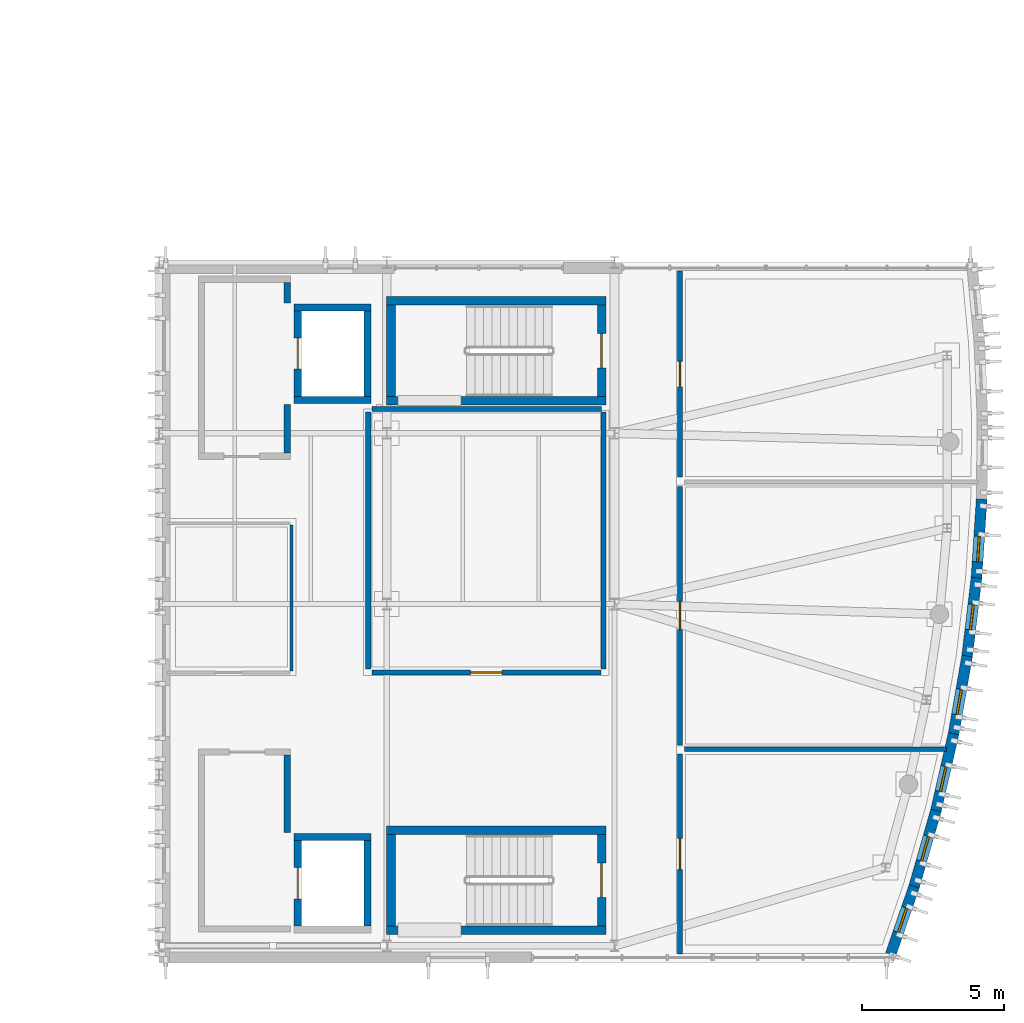
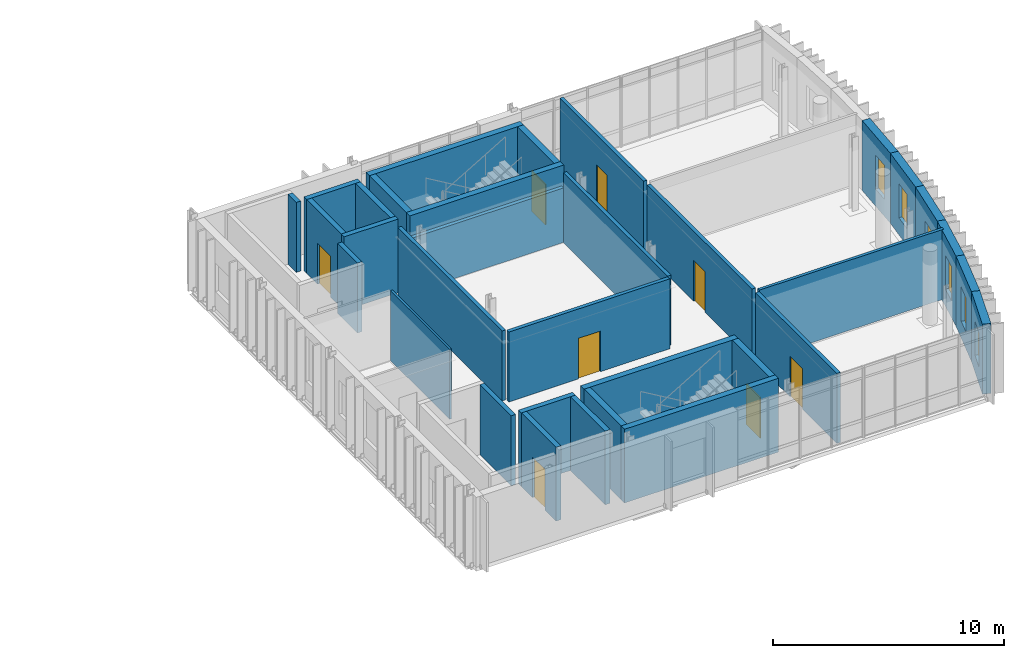
# One storey, part 10 of 14: 33 walls, 8 doors, 6 windows, 14 openings.
"""IFC4 building model written with IfcOpenShell, lengths in metres."""

from ifc_helpers import new_model, si_unit, direction, frame, frame_2d, origin, place, context, subcontext, project, spatial, rectangle, extrude, material, layer, layer_set, type_object, element, fill, save


model = new_model("IFC4")

# Units and contexts
model_context = context("Model", 3, precision=1e-05, world=origin(), true_north=direction((0.0, 1.0)))
body_context = subcontext(model_context, "Body", "Model", "MODEL_VIEW")
ifc_project = project(units=[si_unit("LENGTHUNIT", "METRE"), si_unit("AREAUNIT", "SQUARE_METRE"), si_unit("VOLUMEUNIT", "CUBIC_METRE"), si_unit("PLANEANGLEUNIT", "RADIAN"), si_unit("MASSUNIT", "GRAM", prefix="KILO")], contexts=[model_context])

# Site, building, storey
site_placement = place(None, origin())
site = spatial("IfcSite", under=ifc_project, at=site_placement, CompositionType="ELEMENT")
building_placement = place(site_placement, origin())
building = spatial("IfcBuilding", under=site, at=building_placement, Name="Cymarion Research Institute", CompositionType="ELEMENT")
storey_placement = place(building_placement, frame((0.0, 0.0, 34.5)))
storey = spatial("IfcBuildingStorey", under=building, at=storey_placement, Name="L08", CompositionType="ELEMENT", Elevation=34.5)

# Wall, opening, window
ifc_material_1 = material(Name="Precast concrete C40/50", Category="concrete")
ifc_layer_1 = layer(ifc_material_1, 0.3798828125)
ifc_layer_set_1 = layer_set([ifc_layer_1], Name="Precast concrete C40/50")
wall_type_1 = type_object("IfcWallType", Name="EXTERIOR WALL EW-PC380 380MM", PredefinedType="SOLIDWALL", material=ifc_layer_set_1)
wall_1_placement = place(storey_placement, frame((164.302978515625, 5.200927734375, 0.0), z_axis=(0.0, 0.0, 1.0), x_axis=(0.3268184741, 0.945087130897, 0.0)))
wall_1 = element("IfcWall", 1, at=wall_1_placement, inside=storey, type_object=wall_type_1, Name="L08 V1 exterior wall EW-PC380 #298", PredefinedType="SOLIDWALL", context=body_context, shape_type="SweptSolid", body=[
    extrude(rectangle(XDim=2.5263671875, YDim=0.3798828125, at=frame_2d((1.26318359375, 0.0))), origin(), (0.0, 0.0, 1.0), 3.699951171875),
])
opening_1_placement = place(wall_1_placement, frame((0.81298828125, 0.0, 0.89990234375)))
opening_1 = element("IfcOpeningElement", 2, at=opening_1_placement, cuts=wall_1, Name="Opening W24", PredefinedType="OPENING", context=body_context, shape_type="SweptSolid", body=[
    extrude(rectangle(XDim=0.89990234375, YDim=1.800048828125, at=frame_2d((0.449951171875, 0.89990234375))), frame((0.0, 0.199951171875, 0.0), z_axis=(0.0, -1.0, 0.0), x_axis=(1.0, 0.0, 0.0)), (0.0, 0.0, 1.0), 0.39990234375),
])
ifc_material_2 = material(Name="Thermally broken aluminium window with Low-E glazing", Category="aluminium")
window_type = type_object("IfcWindowType", Name="THERMALLY BROKEN ALUMINIUM WINDOW W24 900X1800", PartitioningType="SINGLE_PANEL", PredefinedType="WINDOW", material=ifc_material_2)
window_1_placement = place(opening_1_placement, origin())
window_1 = element("IfcWindow", 3, at=window_1_placement, inside=storey, type_object=window_type, Name="L08 V1 facade window W24 #531", OverallHeight=1.800048828125, OverallWidth=0.89990234375, PartitioningType="SINGLE_PANEL", PredefinedType="WINDOW", context=body_context, shape_type="SweptSolid", body=[
    extrude(rectangle(XDim=0.89990234375, YDim=1.800048828125, at=frame_2d((0.449951171875, 0.89990234375))), frame((0.0, 0.030029296875, 0.0), z_axis=(0.0, -1.0, 0.0), x_axis=(1.0, 0.0, 0.0)), (0.0, 0.0, 1.0), 0.06005859375),
])
fill(opening_1, window_1)

wall_2_placement = place(storey_placement, frame((165.122314453125, 7.5673828125, 0.0), z_axis=(0.0, 0.0, 1.0), x_axis=(0.275772175055, 0.961223026912, 0.0)))
wall_2 = element("IfcWall", 4, at=wall_2_placement, inside=storey, type_object=wall_type_1, Name="L08 V1 exterior wall EW-PC380 #299", PredefinedType="SOLIDWALL", context=body_context, shape_type="SweptSolid", body=[
    extrude(rectangle(XDim=2.791259765625, YDim=0.3798828125, at=frame_2d((1.3955078125, 0.0))), origin(), (0.0, 0.0, 1.0), 3.699951171875),
])
opening_2_placement = place(wall_2_placement, frame((0.946044921875, 0.0, 0.89990234375)))
opening_2 = element("IfcOpeningElement", 5, at=opening_2_placement, cuts=wall_2, Name="Opening W24", PredefinedType="OPENING", context=body_context, shape_type="SweptSolid", body=[
    extrude(rectangle(XDim=0.89990234375, YDim=1.800048828125, at=frame_2d((0.449951171875, 0.89990234375))), frame((0.0, 0.199951171875, 0.0), z_axis=(0.0, -1.0, 0.0), x_axis=(1.0, 0.0, 0.0)), (0.0, 0.0, 1.0), 0.39990234375),
])
window_2_placement = place(opening_2_placement, origin())
window_2 = element("IfcWindow", 6, at=window_2_placement, inside=storey, type_object=window_type, Name="L08 V1 facade window W24 #532", OverallHeight=1.800048828125, OverallWidth=0.89990234375, PartitioningType="SINGLE_PANEL", PredefinedType="WINDOW", context=body_context, shape_type="SweptSolid", body=[
    extrude(rectangle(XDim=0.89990234375, YDim=1.800048828125, at=frame_2d((0.449951171875, 0.89990234375))), frame((0.0, 0.030029296875, 0.0), z_axis=(0.0, -1.0, 0.0), x_axis=(1.0, 0.0, 0.0)), (0.0, 0.0, 1.0), 0.06005859375),
])
fill(opening_2, window_2)

wall_3_placement = place(storey_placement, frame((165.886962890625, 10.22900390625, 0.0), z_axis=(0.0, 0.0, 1.0), x_axis=(0.224009786197, 0.974586894888, 0.0)))
wall_3 = element("IfcWall", 7, at=wall_3_placement, inside=storey, type_object=wall_type_1, Name="L08 V1 exterior wall EW-PC380 #300", PredefinedType="SOLIDWALL", context=body_context, shape_type="SweptSolid", body=[
    extrude(rectangle(XDim=2.791259765625, YDim=0.3798828125, at=frame_2d((1.3955078125, 0.0))), origin(), (0.0, 0.0, 1.0), 3.699951171875),
])
opening_3_placement = place(wall_3_placement, frame((0.702880859375, 0.0, 0.89990234375)))
opening_3 = element("IfcOpeningElement", 8, at=opening_3_placement, cuts=wall_3, Name="Opening W24", PredefinedType="OPENING", context=body_context, shape_type="SweptSolid", body=[
    extrude(rectangle(XDim=0.89990234375, YDim=1.800048828125, at=frame_2d((0.449951171875, 0.89990234375))), frame((0.0, 0.199951171875, 0.0), z_axis=(0.0, -1.0, 0.0), x_axis=(1.0, 0.0, 0.0)), (0.0, 0.0, 1.0), 0.39990234375),
])
window_3_placement = place(opening_3_placement, origin())
window_3 = element("IfcWindow", 9, at=window_3_placement, inside=storey, type_object=window_type, Name="L08 V1 facade window W24 #533", OverallHeight=1.800048828125, OverallWidth=0.89990234375, PartitioningType="SINGLE_PANEL", PredefinedType="WINDOW", context=body_context, shape_type="SweptSolid", body=[
    extrude(rectangle(XDim=0.89990234375, YDim=1.800048828125, at=frame_2d((0.449951171875, 0.89990234375))), frame((0.0, 0.030029296875, 0.0), z_axis=(0.0, -1.0, 0.0), x_axis=(1.0, 0.0, 0.0)), (0.0, 0.0, 1.0), 0.06005859375),
])
fill(opening_3, window_3)

wall_4_placement = place(storey_placement, frame((166.50830078125, 12.927490234375, 0.0), z_axis=(0.0, 0.0, 1.0), x_axis=(0.171699219546, 0.985149419128, 0.0)))
wall_4 = element("IfcWall", 10, at=wall_4_placement, inside=storey, type_object=wall_type_1, Name="L08 V1 exterior wall EW-PC380 #301", PredefinedType="SOLIDWALL", context=body_context, shape_type="SweptSolid", body=[
    extrude(rectangle(XDim=2.791259765625, YDim=0.3798828125, at=frame_2d((1.3955078125, 0.0))), origin(), (0.0, 0.0, 1.0), 3.699951171875),
])
opening_4_placement = place(wall_4_placement, frame((0.700927734375, 0.0, 0.89990234375)))
opening_4 = element("IfcOpeningElement", 11, at=opening_4_placement, cuts=wall_4, Name="Opening W24", PredefinedType="OPENING", context=body_context, shape_type="SweptSolid", body=[
    extrude(rectangle(XDim=0.89990234375, YDim=1.800048828125, at=frame_2d((0.449951171875, 0.89990234375))), frame((0.0, 0.199951171875, 0.0), z_axis=(0.0, -1.0, 0.0), x_axis=(1.0, 0.0, 0.0)), (0.0, 0.0, 1.0), 0.39990234375),
])
window_4_placement = place(opening_4_placement, origin())
window_4 = element("IfcWindow", 12, at=window_4_placement, inside=storey, type_object=window_type, Name="L08 V1 facade window W24 #534", OverallHeight=1.800048828125, OverallWidth=0.89990234375, PartitioningType="SINGLE_PANEL", PredefinedType="WINDOW", context=body_context, shape_type="SweptSolid", body=[
    extrude(rectangle(XDim=0.89990234375, YDim=1.800048828125, at=frame_2d((0.449951171875, 0.89990234375))), frame((0.0, 0.030029296875, 0.0), z_axis=(0.0, -1.0, 0.0), x_axis=(1.0, 0.0, 0.0)), (0.0, 0.0, 1.0), 0.06005859375),
])
fill(opening_4, window_4)

wall_5_placement = place(storey_placement, frame((166.984619140625, 15.6552734375, 0.0), z_axis=(0.0, 0.0, 1.0), x_axis=(0.118779618782, 0.992920642429, 0.0)))
wall_5 = element("IfcWall", 13, at=wall_5_placement, inside=storey, type_object=wall_type_1, Name="L08 V1 exterior wall EW-PC380 #302", PredefinedType="SOLIDWALL", context=body_context, shape_type="SweptSolid", body=[
    extrude(rectangle(XDim=2.791259765625, YDim=0.3798828125, at=frame_2d((1.3955078125, 0.0))), origin(), (0.0, 0.0, 1.0), 3.699951171875),
])
opening_5_placement = place(wall_5_placement, frame((0.946044921875, 0.0, 0.89990234375)))
opening_5 = element("IfcOpeningElement", 14, at=opening_5_placement, cuts=wall_5, Name="Opening W24", PredefinedType="OPENING", context=body_context, shape_type="SweptSolid", body=[
    extrude(rectangle(XDim=0.89990234375, YDim=1.800048828125, at=frame_2d((0.449951171875, 0.89990234375))), frame((0.0, 0.199951171875, 0.0), z_axis=(0.0, -1.0, 0.0), x_axis=(1.0, 0.0, 0.0)), (0.0, 0.0, 1.0), 0.39990234375),
])
window_5_placement = place(opening_5_placement, origin())
window_5 = element("IfcWindow", 15, at=window_5_placement, inside=storey, type_object=window_type, Name="L08 V1 facade window W24 #535", OverallHeight=1.800048828125, OverallWidth=0.89990234375, PartitioningType="SINGLE_PANEL", PredefinedType="WINDOW", context=body_context, shape_type="SweptSolid", body=[
    extrude(rectangle(XDim=0.89990234375, YDim=1.800048828125, at=frame_2d((0.449951171875, 0.89990234375))), frame((0.0, 0.030029296875, 0.0), z_axis=(0.0, -1.0, 0.0), x_axis=(1.0, 0.0, 0.0)), (0.0, 0.0, 1.0), 0.06005859375),
])
fill(opening_5, window_5)

wall_6_placement = place(storey_placement, frame((167.314453125, 18.404541015625, 0.0), z_axis=(0.0, 0.0, 1.0), x_axis=(0.065595994181, 0.997846263483, 0.0)))
wall_6 = element("IfcWall", 16, at=wall_6_placement, inside=storey, type_object=wall_type_1, Name="L08 V1 exterior wall EW-PC380 #303", PredefinedType="SOLIDWALL", context=body_context, shape_type="SweptSolid", body=[
    extrude(rectangle(XDim=2.79150390625, YDim=0.3798828125, at=frame_2d((1.395751953125, 0.0))), origin(), (0.0, 0.0, 1.0), 3.699951171875),
])
opening_6_placement = place(wall_6_placement, frame((0.5791015625, 0.0, 0.89990234375)))
opening_6 = element("IfcOpeningElement", 17, at=opening_6_placement, cuts=wall_6, Name="Opening W24", PredefinedType="OPENING", context=body_context, shape_type="SweptSolid", body=[
    extrude(rectangle(XDim=0.89990234375, YDim=1.800048828125, at=frame_2d((0.449951171875, 0.89990234375))), frame((0.0, 0.199951171875, 0.0), z_axis=(0.0, -1.0, 0.0), x_axis=(1.0, 0.0, 0.0)), (0.0, 0.0, 1.0), 0.39990234375),
])
window_6_placement = place(opening_6_placement, origin())
window_6 = element("IfcWindow", 18, at=window_6_placement, inside=storey, type_object=window_type, Name="L08 V1 facade window W24 #536", OverallHeight=1.800048828125, OverallWidth=0.89990234375, PartitioningType="SINGLE_PANEL", PredefinedType="WINDOW", context=body_context, shape_type="SweptSolid", body=[
    extrude(rectangle(XDim=0.89990234375, YDim=1.800048828125, at=frame_2d((0.449951171875, 0.89990234375))), frame((0.0, 0.030029296875, 0.0), z_axis=(0.0, -1.0, 0.0), x_axis=(1.0, 0.0, 0.0)), (0.0, 0.0, 1.0), 0.06005859375),
])
fill(opening_6, window_6)

# Walls
ifc_material_3 = material(Name="Gypsum acoustic double-stud partition", Category="gypsum")
ifc_layer_2 = layer(ifc_material_3, 0.14990234375)
ifc_layer_set_2 = layer_set([ifc_layer_2], Name="Gypsum acoustic double-stud partition")
wall_type_2 = type_object("IfcWallType", Name="INTERIOR PARTITION IW-AC150 150MM", PredefinedType="PARTITIONING", material=ifc_layer_set_2)
wall_7_placement = place(storey_placement, frame((157.050048828125, 12.39990234375, 0.0), z_axis=(0.0, 0.0, 1.0), x_axis=(1.0, 0.0, 0.0)))
element("IfcWall", 19, at=wall_7_placement, inside=storey, type_object=wall_type_2, Name="L08 V1 interior partition IW-AC150 #404", PredefinedType="PARTITIONING", context=body_context, shape_type="SweptSolid", body=[
    extrude(rectangle(XDim=9.218017578125, YDim=0.14990234375, at=frame_2d((4.60888671875, 0.0))), origin(), (0.0, 0.0, 1.0), 3.699951171875),
])
ifc_material_4 = material(Name="Framed acoustic glass laboratory screen", Category="glass")
ifc_layer_3 = layer(ifc_material_4, 0.10009765625)
ifc_layer_set_3 = layer_set([ifc_layer_3], Name="Framed acoustic glass laboratory screen")
wall_type_3 = type_object("IfcWallType", Name="INTERIOR PARTITION IW-GL100 100MM", PredefinedType="PARTITIONING", material=ifc_layer_set_3)
wall_8_placement = place(storey_placement, frame((143.25, 15.159912109375, 0.0), z_axis=(0.0, 0.0, 1.0), x_axis=(0.0, 1.0, 0.0)))
element("IfcWall", 20, at=wall_8_placement, inside=storey, type_object=wall_type_3, Name="L08 V1 interior partition IW-GL100 #398", PredefinedType="PARTITIONING", context=body_context, shape_type="SweptSolid", body=[
    extrude(rectangle(XDim=5.1201171875, YDim=0.10009765625, at=frame_2d((2.56005859375, 0.0))), origin(), (0.0, 0.0, 1.0), 3.699951171875),
])
ifc_material_5 = material(Name="Moisture-resistant laboratory partition", Category="gypsum")
ifc_layer_4 = layer(ifc_material_5, 0.179931640625)
ifc_layer_set_4 = layer_set([ifc_layer_4], Name="Moisture-resistant laboratory partition")
wall_type_4 = type_object("IfcWallType", Name="INTERIOR PARTITION IW-LB180 180MM", PredefinedType="PARTITIONING", material=ifc_layer_set_4)
wall_9_placement = place(storey_placement, frame((145.949951171875, 15.219970703125, 0.0), z_axis=(0.0, 0.0, 1.0), x_axis=(0.0, 1.0, 0.0)))
element("IfcWall", 21, at=wall_9_placement, inside=storey, type_object=wall_type_4, Name="L08 V1 interior partition IW-LB180 #400", PredefinedType="PARTITIONING", context=body_context, shape_type="SweptSolid", body=[
    extrude(rectangle(XDim=9.030029296875, YDim=0.179931640625, at=frame_2d((4.51513671875, 0.0))), origin(), (0.0, 0.0, 1.0), 3.699951171875),
])
wall_10_placement = place(storey_placement, frame((146.080078125, 24.35009765625, 0.0), z_axis=(0.0, 0.0, 1.0), x_axis=(1.0, 0.0, 0.0)))
element("IfcWall", 22, at=wall_10_placement, inside=storey, type_object=wall_type_4, Name="L08 V1 interior partition IW-LB180 #401", PredefinedType="PARTITIONING", context=body_context, shape_type="SweptSolid", body=[
    extrude(rectangle(XDim=8.06982421875, YDim=0.179931640625, at=frame_2d((4.034912109375, 0.0))), origin(), (0.0, 0.0, 1.0), 2.8798828125),
])
wall_11_placement = place(storey_placement, frame((154.219970703125, 15.219970703125, 0.0), z_axis=(0.0, 0.0, 1.0), x_axis=(0.0, 1.0, 0.0)))
element("IfcWall", 23, at=wall_11_placement, inside=storey, type_object=wall_type_4, Name="L08 V1 interior partition IW-LB180 #402", PredefinedType="PARTITIONING", context=body_context, shape_type="SweptSolid", body=[
    extrude(rectangle(XDim=9.030029296875, YDim=0.179931640625, at=frame_2d((4.51513671875, 0.0))), origin(), (0.0, 0.0, 1.0), 3.699951171875),
])

# Wall, opening, door
wall_12_placement = place(storey_placement, frame((146.080078125, 15.10009765625, 0.0), z_axis=(0.0, 0.0, 1.0), x_axis=(1.0, 0.0, 0.0)))
wall_12 = element("IfcWall", 24, at=wall_12_placement, inside=storey, type_object=wall_type_4, Name="L08 V1 interior partition IW-LB180 #403", PredefinedType="PARTITIONING", context=body_context, shape_type="SweptSolid", body=[
    extrude(rectangle(XDim=8.0400390625, YDim=0.179931640625, at=frame_2d((4.02001953125, 0.0))), origin(), (0.0, 0.0, 1.0), 3.699951171875),
])
opening_7_placement = place(wall_12_placement, frame((3.469970703125, 0.0, 0.0)))
opening_7 = element("IfcOpeningElement", 25, at=opening_7_placement, cuts=wall_12, Name="Opening D-L08-234", PredefinedType="OPENING", context=body_context, shape_type="SweptSolid", body=[
    extrude(rectangle(XDim=1.10009765625, YDim=2.14990234375, at=frame_2d((0.550048828125, 1.074951171875))), frame((0.0, 0.099853515625, 0.0), z_axis=(0.0, -1.0, 0.0), x_axis=(1.0, 0.0, 0.0)), (0.0, 0.0, 1.0), 0.199951171875),
])
ifc_material_6 = material(Name="Flush acoustic timber/steel door assembly", Category="steel")
door_type_1 = type_object("IfcDoorType", Name="LABORATORY WIDE SINGLE DOOR DT-LB110 1100X2150", OperationType="NOTDEFINED", PredefinedType="DOOR", material=ifc_material_6)
door_1_placement = place(opening_7_placement, origin())
door_1 = element("IfcDoor", 26, at=door_1_placement, inside=storey, type_object=door_type_1, Name="L08 Central Assay Lab door D-L08-234", OperationType="SINGLE_SWING_LEFT", OverallHeight=2.14990234375, OverallWidth=1.10009765625, PredefinedType="DOOR", context=body_context, shape_type="SweptSolid", body=[
    extrude(rectangle(XDim=1.10009765625, YDim=2.14990234375, at=frame_2d((0.550048828125, 1.074951171875))), frame((0.0, 0.02490234375, 0.0), z_axis=(0.0, -1.0, 0.0), x_axis=(1.0, 0.0, 0.0)), (0.0, 0.0, 1.0), 0.050048828125),
])
fill(opening_7, door_1)

wall_13_placement = place(storey_placement, frame((156.89990234375, 5.205078125, 0.0), z_axis=(0.0, 0.0, 1.0), x_axis=(0.0, 1.0, 0.0)))
wall_13 = element("IfcWall", 27, at=wall_13_placement, inside=storey, type_object=wall_type_4, Name="L08 V1 interior partition IW-LB180 #406", PredefinedType="PARTITIONING", context=body_context, shape_type="SweptSolid", body=[
    extrude(rectangle(XDim=7.034912109375, YDim=0.179931640625, at=frame_2d((3.517578125, 0.0))), origin(), (0.0, 0.0, 1.0), 3.699951171875),
])
opening_8_placement = place(wall_13_placement, frame((2.968017578125, 0.0, 0.0)))
opening_8 = element("IfcOpeningElement", 28, at=opening_8_placement, cuts=wall_13, Name="Opening D-L08-235", PredefinedType="OPENING", context=body_context, shape_type="SweptSolid", body=[
    extrude(rectangle(XDim=1.10009765625, YDim=2.14990234375, at=frame_2d((0.550048828125, 1.074951171875))), frame((0.0, 0.099853515625, 0.0), z_axis=(0.0, -1.0, 0.0), x_axis=(1.0, 0.0, 0.0)), (0.0, 0.0, 1.0), 0.199951171875),
])
door_2_placement = place(opening_8_placement, origin())
door_2 = element("IfcDoor", 29, at=door_2_placement, inside=storey, type_object=door_type_1, Name="L08 Tower Lab door D-L08-235", OperationType="SINGLE_SWING_RIGHT", OverallHeight=2.14990234375, OverallWidth=1.10009765625, PredefinedType="DOOR", context=body_context, shape_type="SweptSolid", body=[
    extrude(rectangle(XDim=1.10009765625, YDim=2.14990234375, at=frame_2d((0.550048828125, 1.074951171875))), frame((0.0, 0.02490234375, 0.0), z_axis=(0.0, -1.0, 0.0), x_axis=(1.0, 0.0, 0.0)), (0.0, 0.0, 1.0), 0.050048828125),
])
fill(opening_8, door_2)

wall_14_placement = place(storey_placement, frame((156.89990234375, 12.56005859375, 0.0), z_axis=(0.0, 0.0, 1.0), x_axis=(0.0, 1.0, 0.0)))
wall_14 = element("IfcWall", 30, at=wall_14_placement, inside=storey, type_object=wall_type_4, Name="L08 V1 interior partition IW-LB180 #407", PredefinedType="PARTITIONING", context=body_context, shape_type="SweptSolid", body=[
    extrude(rectangle(XDim=9.079833984375, YDim=0.179931640625, at=frame_2d((4.5400390625, 0.0))), origin(), (0.0, 0.0, 1.0), 3.699951171875),
])
opening_9_placement = place(wall_14_placement, frame((4.0400390625, 0.0, 0.0)))
opening_9 = element("IfcOpeningElement", 31, at=opening_9_placement, cuts=wall_14, Name="Opening D-L08-236", PredefinedType="OPENING", context=body_context, shape_type="SweptSolid", body=[
    extrude(rectangle(XDim=1.0, YDim=2.14990234375, at=frame_2d((0.5, 1.074951171875))), frame((0.0, 0.099853515625, 0.0), z_axis=(0.0, -1.0, 0.0), x_axis=(1.0, 0.0, 0.0)), (0.0, 0.0, 1.0), 0.199951171875),
])
door_type_2 = type_object("IfcDoorType", Name="LABORATORY SINGLE LEAF DOOR DT-LB100 1000X2150", OperationType="NOTDEFINED", PredefinedType="DOOR", material=ifc_material_6)
door_3_placement = place(opening_9_placement, origin())
door_3 = element("IfcDoor", 32, at=door_3_placement, inside=storey, type_object=door_type_2, Name="L08 Instrument Room door D-L08-236", OperationType="SINGLE_SWING_LEFT", OverallHeight=2.14990234375, OverallWidth=1.0, PredefinedType="DOOR", context=body_context, shape_type="SweptSolid", body=[
    extrude(rectangle(XDim=1.0, YDim=2.14990234375, at=frame_2d((0.5, 1.074951171875))), frame((0.0, 0.02490234375, 0.0), z_axis=(0.0, -1.0, 0.0), x_axis=(1.0, 0.0, 0.0)), (0.0, 0.0, 1.0), 0.050048828125),
])
fill(opening_9, door_3)

wall_15_placement = place(storey_placement, frame((156.89990234375, 21.9599609375, 0.0), z_axis=(0.0, 0.0, 1.0), x_axis=(0.0, 1.0, 0.0)))
wall_15 = element("IfcWall", 33, at=wall_15_placement, inside=storey, type_object=wall_type_4, Name="L08 V1 interior partition IW-LB180 #408", PredefinedType="PARTITIONING", context=body_context, shape_type="SweptSolid", body=[
    extrude(rectangle(XDim=7.235107421875, YDim=0.179931640625, at=frame_2d((3.61767578125, 0.0))), origin(), (0.0, 0.0, 1.0), 3.699951171875),
])
opening_10_placement = place(wall_15_placement, frame((3.1669921875, 0.0, 0.0)))
opening_10 = element("IfcOpeningElement", 34, at=opening_10_placement, cuts=wall_15, Name="Opening D-L08-237", PredefinedType="OPENING", context=body_context, shape_type="SweptSolid", body=[
    extrude(rectangle(XDim=0.89990234375, YDim=2.10009765625, at=frame_2d((0.449951171875, 1.050048828125))), frame((0.0, 0.099853515625, 0.0), z_axis=(0.0, -1.0, 0.0), x_axis=(1.0, 0.0, 0.0)), (0.0, 0.0, 1.0), 0.199951171875),
])
door_type_3 = type_object("IfcDoorType", Name="ACCESSIBLE RESTROOM DOOR DT-WC090 900X2100", OperationType="NOTDEFINED", PredefinedType="DOOR", material=ifc_material_6)
door_4_placement = place(opening_10_placement, origin())
door_4 = element("IfcDoor", 35, at=door_4_placement, inside=storey, type_object=door_type_3, Name="L08 Tower WC door D-L08-237", OperationType="SINGLE_SWING_RIGHT", OverallHeight=2.10009765625, OverallWidth=0.89990234375, PredefinedType="DOOR", context=body_context, shape_type="SweptSolid", body=[
    extrude(rectangle(XDim=0.89990234375, YDim=2.10009765625, at=frame_2d((0.449951171875, 1.050048828125))), frame((0.0, 0.02490234375, 0.0), z_axis=(0.0, -1.0, 0.0), x_axis=(1.0, 0.0, 0.0)), (0.0, 0.0, 1.0), 0.050048828125),
])
fill(opening_10, door_4)

# Walls
ifc_material_7 = material(Name="Concrete C40/50", Category="concrete")
ifc_layer_5 = layer(ifc_material_7, 0.219970703125)
ifc_layer_set_5 = layer_set([ifc_layer_5], Name="Concrete C40/50")
wall_type_5 = type_object("IfcWallType", Name="REINFORCED CONCRETE CORE WALL CW-FF220 220MM", PredefinedType="SOLIDWALL", material=ifc_layer_set_5)
wall_16_placement = place(storey_placement, frame((143.110107421875, 9.47998046875, 0.0), z_axis=(0.0, 0.0, 1.0), x_axis=(0.0, 1.0, 0.0)))
element("IfcWall", 36, at=wall_16_placement, inside=storey, type_object=wall_type_5, Name="Core C1 firefighting lobby east closure wall L08", PredefinedType="SOLIDWALL", context=body_context, shape_type="SweptSolid", body=[
    extrude(rectangle(XDim=2.719970703125, YDim=0.219970703125, at=frame_2d((1.35986328125, 0.0))), origin(), (0.0, 0.0, 1.0), 3.699951171875),
])
wall_17_placement = place(storey_placement, frame((143.110107421875, 22.800048828125, 0.0), z_axis=(0.0, 0.0, 1.0), x_axis=(0.0, 1.0, 0.0)))
element("IfcWall", 37, at=wall_17_placement, inside=storey, type_object=wall_type_5, Name="Core C2 firefighting lobby east closure wall L08 #1", PredefinedType="SOLIDWALL", context=body_context, shape_type="SweptSolid", body=[
    extrude(rectangle(XDim=1.719970703125, YDim=0.219970703125, at=frame_2d((0.85986328125, 0.0))), origin(), (0.0, 0.0, 1.0), 3.699951171875),
])
wall_18_placement = place(storey_placement, frame((143.110107421875, 28.080078125, 0.0), z_axis=(0.0, 0.0, 1.0), x_axis=(0.0, 1.0, 0.0)))
element("IfcWall", 38, at=wall_18_placement, inside=storey, type_object=wall_type_5, Name="Core C2 firefighting lobby east closure wall L08 #2", PredefinedType="SOLIDWALL", context=body_context, shape_type="SweptSolid", body=[
    extrude(rectangle(XDim=0.719970703125, YDim=0.219970703125, at=frame_2d((0.35986328125, 0.0))), origin(), (0.0, 0.0, 1.0), 3.699951171875),
])
ifc_layer_6 = layer(ifc_material_7, 0.25)
ifc_layer_set_6 = layer_set([ifc_layer_6], Name="Concrete C40/50")
wall_type_6 = type_object("IfcWallType", Name="REINFORCED CONCRETE CORE WALL CW-SH250 250MM", PredefinedType="SHEAR", material=ifc_layer_set_6)
wall_19_placement = place(storey_placement, frame((146.050048828125, 9.324951171875, 0.0), z_axis=(0.0, 0.0, 1.0), x_axis=(-1.0, 0.0, 0.0)))
element("IfcWall", 39, at=wall_19_placement, inside=storey, type_object=wall_type_6, Name="L08 LSH-LF1-L08 north core wall", PredefinedType="SHEAR", context=body_context, shape_type="SweptSolid", body=[
    extrude(rectangle(XDim=2.699951171875, YDim=0.25, at=frame_2d((1.35009765625, 0.0))), origin(), (0.0, 0.0, 1.0), 3.89990234375),
])

# Wall, opening, door
wall_20_placement = place(storey_placement, frame((143.47509765625, 9.199951171875, 0.0), z_axis=(0.0, 0.0, 1.0), x_axis=(0.0, -1.0, 0.0)))
wall_20 = element("IfcWall", 40, at=wall_20_placement, inside=storey, type_object=wall_type_6, Name="L08 LSH-LF1-L08 west core wall", PredefinedType="SHEAR", context=body_context, shape_type="SweptSolid", body=[
    extrude(rectangle(XDim=3.0, YDim=0.25, at=frame_2d((1.5, 0.0))), origin(), (0.0, 0.0, 1.0), 3.89990234375),
])
opening_11_placement = place(wall_20_placement, frame((0.949951171875, 0.0, 0.0)))
opening_11 = element("IfcOpeningElement", 41, at=opening_11_placement, cuts=wall_20, Name="Opening LD-LF1-L08", PredefinedType="OPENING", context=body_context, shape_type="SweptSolid", body=[
    extrude(rectangle(XDim=1.10009765625, YDim=2.14990234375, at=frame_2d((0.550048828125, 1.074951171875))), frame((0.0, 0.135009765625, 0.0), z_axis=(0.0, -1.0, 0.0), x_axis=(1.0, 0.0, 0.0)), (0.0, 0.0, 1.0), 0.27001953125),
])
ifc_material_8 = material(Name="Fire-rated insulated steel door assembly", Category="steel")
door_type_4 = type_object("IfcDoorType", Name="SLIDING LIFT LANDING DOOR DT-LD110 1100X2150", OperationType="DOUBLE_DOOR_SLIDING", PredefinedType="DOOR", material=ifc_material_8)
door_5_placement = place(opening_11_placement, origin())
door_5 = element("IfcDoor", 42, at=door_5_placement, inside=storey, type_object=door_type_4, Name="Lift LF1 landing door L08", OperationType="DOUBLE_DOOR_SLIDING", OverallHeight=2.14990234375, OverallWidth=1.10009765625, PredefinedType="DOOR", context=body_context, shape_type="SweptSolid", body=[
    extrude(rectangle(XDim=1.10009765625, YDim=2.14990234375, at=frame_2d((0.550048828125, 1.074951171875))), frame((0.0, 0.02490234375, 0.0), z_axis=(0.0, -1.0, 0.0), x_axis=(1.0, 0.0, 0.0)), (0.0, 0.0, 1.0), 0.050048828125),
])
fill(opening_11, door_5)

# Walls
wall_21_placement = place(storey_placement, frame((145.925048828125, 6.199951171875, 0.0), z_axis=(0.0, 0.0, 1.0), x_axis=(0.0, 1.0, 0.0)))
element("IfcWall", 43, at=wall_21_placement, inside=storey, type_object=wall_type_6, Name="L08 LSH-LF1-L08 east core wall", PredefinedType="SHEAR", context=body_context, shape_type="SweptSolid", body=[
    extrude(rectangle(XDim=3.0, YDim=0.25, at=frame_2d((1.5, 0.0))), origin(), (0.0, 0.0, 1.0), 3.89990234375),
])
for number, where, z_axis, x_axis, name in (
    (44, (143.35009765625, 24.675048828125, 0.0), (0.0, 0.0, 1.0), (1.0, 0.0, 0.0), "L08 LSH-LF2-L08 south core wall"),
    (45, (146.050048828125, 27.925048828125, 0.0), (0.0, 0.0, 1.0), (-1.0, 0.0, 0.0), "L08 LSH-LF2-L08 north core wall"),
):
    element("IfcWall", number, at=place(storey_placement, frame(where, z_axis=z_axis, x_axis=x_axis)), inside=storey, type_object=wall_type_6, Name=name, PredefinedType="SHEAR", context=body_context, shape_type="SweptSolid", body=[
        extrude(rectangle(XDim=2.699951171875, YDim=0.25, at=frame_2d((1.35009765625, 0.0))), origin(), (0.0, 0.0, 1.0), 3.89990234375),
    ])

# Wall, opening, door
wall_22_placement = place(storey_placement, frame((143.47509765625, 27.800048828125, 0.0), z_axis=(0.0, 0.0, 1.0), x_axis=(0.0, -1.0, 0.0)))
wall_22 = element("IfcWall", 46, at=wall_22_placement, inside=storey, type_object=wall_type_6, Name="L08 LSH-LF2-L08 west core wall", PredefinedType="SHEAR", context=body_context, shape_type="SweptSolid", body=[
    extrude(rectangle(XDim=3.0, YDim=0.25, at=frame_2d((1.5, 0.0))), origin(), (0.0, 0.0, 1.0), 3.89990234375),
])
opening_12_placement = place(wall_22_placement, frame((0.949951171875, 0.0, 0.0)))
opening_12 = element("IfcOpeningElement", 47, at=opening_12_placement, cuts=wall_22, Name="Opening LD-LF2-L08", PredefinedType="OPENING", context=body_context, shape_type="SweptSolid", body=[
    extrude(rectangle(XDim=1.10009765625, YDim=2.14990234375, at=frame_2d((0.550048828125, 1.074951171875))), frame((0.0, 0.135009765625, 0.0), z_axis=(0.0, -1.0, 0.0), x_axis=(1.0, 0.0, 0.0)), (0.0, 0.0, 1.0), 0.27001953125),
])
door_6_placement = place(opening_12_placement, origin())
door_6 = element("IfcDoor", 48, at=door_6_placement, inside=storey, type_object=door_type_4, Name="Lift LF2 landing door L08", OperationType="DOUBLE_DOOR_SLIDING", OverallHeight=2.14990234375, OverallWidth=1.10009765625, PredefinedType="DOOR", context=body_context, shape_type="SweptSolid", body=[
    extrude(rectangle(XDim=1.10009765625, YDim=2.14990234375, at=frame_2d((0.550048828125, 1.074951171875))), frame((0.0, 0.02490234375, 0.0), z_axis=(0.0, -1.0, 0.0), x_axis=(1.0, 0.0, 0.0)), (0.0, 0.0, 1.0), 0.050048828125),
])
fill(opening_12, door_6)

# Walls
wall_23_placement = place(storey_placement, frame((145.925048828125, 24.800048828125, 0.0), z_axis=(0.0, 0.0, 1.0), x_axis=(0.0, 1.0, 0.0)))
element("IfcWall", 49, at=wall_23_placement, inside=storey, type_object=wall_type_6, Name="L08 LSH-LF2-L08 east core wall", PredefinedType="SHEAR", context=body_context, shape_type="SweptSolid", body=[
    extrude(rectangle(XDim=3.0, YDim=0.25, at=frame_2d((1.5, 0.0))), origin(), (0.0, 0.0, 1.0), 3.89990234375),
])
ifc_layer_7 = layer(ifc_material_7, 0.300048828125)
ifc_layer_set_7 = layer_set([ifc_layer_7], Name="Concrete C40/50")
wall_type_7 = type_object("IfcWallType", Name="REINFORCED CONCRETE CORE WALL CW-SH300 300MM", PredefinedType="SHEAR", material=ifc_layer_set_7)
for number, where, z_axis, x_axis, name in (
    (50, (146.60009765625, 6.050048828125, 0.0), (0.0, 0.0, 1.0), (1.0, 0.0, 0.0), "L08 SHW-C1-L08 south core wall"),
    (51, (154.300048828125, 9.550048828125, 0.0), (0.0, 0.0, 1.0), (-1.0, 0.0, 0.0), "L08 SHW-C1-L08 north core wall"),
):
    element("IfcWall", number, at=place(storey_placement, frame(where, z_axis=z_axis, x_axis=x_axis)), inside=storey, type_object=wall_type_7, Name=name, PredefinedType="SHEAR", context=body_context, shape_type="SweptSolid", body=[
        extrude(rectangle(XDim=7.699951171875, YDim=0.300048828125, at=frame_2d((3.85009765625, 0.0))), origin(), (0.0, 0.0, 1.0), 3.89990234375),
    ])
wall_24_placement = place(storey_placement, frame((146.75, 9.39990234375, 0.0), z_axis=(0.0, 0.0, 1.0), x_axis=(0.0, -1.0, 0.0)))
element("IfcWall", 52, at=wall_24_placement, inside=storey, type_object=wall_type_7, Name="L08 SHW-C1-L08 west core wall", PredefinedType="SHEAR", context=body_context, shape_type="SweptSolid", body=[
    extrude(rectangle(XDim=3.199951171875, YDim=0.300048828125, at=frame_2d((1.60009765625, 0.0))), origin(), (0.0, 0.0, 1.0), 3.89990234375),
])

# Wall, opening, door
wall_25_placement = place(storey_placement, frame((154.14990234375, 6.199951171875, 0.0), z_axis=(0.0, 0.0, 1.0), x_axis=(0.0, 1.0, 0.0)))
wall_25 = element("IfcWall", 53, at=wall_25_placement, inside=storey, type_object=wall_type_7, Name="L08 SHW-C1-L08 east core wall", PredefinedType="SHEAR", context=body_context, shape_type="SweptSolid", body=[
    extrude(rectangle(XDim=3.199951171875, YDim=0.300048828125, at=frame_2d((1.60009765625, 0.0))), origin(), (0.0, 0.0, 1.0), 3.89990234375),
])
opening_13_placement = place(wall_25_placement, frame((1.0, 0.0, 0.0)))
opening_13 = element("IfcOpeningElement", 54, at=opening_13_placement, cuts=wall_25, Name="Opening FD-L08-ST1", PredefinedType="OPENING", context=body_context, shape_type="SweptSolid", body=[
    extrude(rectangle(XDim=1.199951171875, YDim=2.14990234375, at=frame_2d((0.60009765625, 1.074951171875))), frame((0.0, 0.159912109375, 0.0), z_axis=(0.0, -1.0, 0.0), x_axis=(1.0, 0.0, 0.0)), (0.0, 0.0, 1.0), 0.320068359375),
])
door_type_5 = type_object("IfcDoorType", Name="SMOKE PROOF STAIR FIRE DOOR DT-ST120 1200X2150", OperationType="NOTDEFINED", PredefinedType="DOOR", material=ifc_material_8)
door_7_placement = place(opening_13_placement, origin())
door_7 = element("IfcDoor", 55, at=door_7_placement, inside=storey, type_object=door_type_5, Name="L08 ST1 smoke-proof stair door FD-L08-ST1", OperationType="SINGLE_SWING_RIGHT", OverallHeight=2.14990234375, OverallWidth=1.199951171875, PredefinedType="DOOR", context=body_context, shape_type="SweptSolid", body=[
    extrude(rectangle(XDim=1.199951171875, YDim=2.14990234375, at=frame_2d((0.60009765625, 1.074951171875))), frame((0.0, 0.02490234375, 0.0), z_axis=(0.0, -1.0, 0.0), x_axis=(1.0, 0.0, 0.0)), (0.0, 0.0, 1.0), 0.050048828125),
])
fill(opening_13, door_7)

# Walls
for number, where, z_axis, x_axis, name in (
    (56, (146.60009765625, 24.64990234375, 0.0), (0.0, 0.0, 1.0), (1.0, 0.0, 0.0), "L08 SHW-C2-L08 south core wall"),
    (57, (154.300048828125, 28.14990234375, 0.0), (0.0, 0.0, 1.0), (-1.0, 0.0, 0.0), "L08 SHW-C2-L08 north core wall"),
):
    element("IfcWall", number, at=place(storey_placement, frame(where, z_axis=z_axis, x_axis=x_axis)), inside=storey, type_object=wall_type_7, Name=name, PredefinedType="SHEAR", context=body_context, shape_type="SweptSolid", body=[
        extrude(rectangle(XDim=7.699951171875, YDim=0.300048828125, at=frame_2d((3.85009765625, 0.0))), origin(), (0.0, 0.0, 1.0), 3.89990234375),
    ])
wall_26_placement = place(storey_placement, frame((146.75, 28.0, 0.0), z_axis=(0.0, 0.0, 1.0), x_axis=(0.0, -1.0, 0.0)))
element("IfcWall", 58, at=wall_26_placement, inside=storey, type_object=wall_type_7, Name="L08 SHW-C2-L08 west core wall", PredefinedType="SHEAR", context=body_context, shape_type="SweptSolid", body=[
    extrude(rectangle(XDim=3.199951171875, YDim=0.300048828125, at=frame_2d((1.60009765625, 0.0))), origin(), (0.0, 0.0, 1.0), 3.89990234375),
])

# Wall, opening, door
wall_27_placement = place(storey_placement, frame((154.14990234375, 24.800048828125, 0.0), z_axis=(0.0, 0.0, 1.0), x_axis=(0.0, 1.0, 0.0)))
wall_27 = element("IfcWall", 59, at=wall_27_placement, inside=storey, type_object=wall_type_7, Name="L08 SHW-C2-L08 east core wall", PredefinedType="SHEAR", context=body_context, shape_type="SweptSolid", body=[
    extrude(rectangle(XDim=3.199951171875, YDim=0.300048828125, at=frame_2d((1.60009765625, 0.0))), origin(), (0.0, 0.0, 1.0), 3.89990234375),
])
opening_14_placement = place(wall_27_placement, frame((1.0, 0.0, 0.0)))
opening_14 = element("IfcOpeningElement", 60, at=opening_14_placement, cuts=wall_27, Name="Opening FD-L08-ST2", PredefinedType="OPENING", context=body_context, shape_type="SweptSolid", body=[
    extrude(rectangle(XDim=1.199951171875, YDim=2.14990234375, at=frame_2d((0.60009765625, 1.074951171875))), frame((0.0, 0.159912109375, 0.0), z_axis=(0.0, -1.0, 0.0), x_axis=(1.0, 0.0, 0.0)), (0.0, 0.0, 1.0), 0.320068359375),
])
door_8_placement = place(opening_14_placement, origin())
door_8 = element("IfcDoor", 61, at=door_8_placement, inside=storey, type_object=door_type_5, Name="L08 ST2 smoke-proof stair door FD-L08-ST2", OperationType="SINGLE_SWING_LEFT", OverallHeight=2.14990234375, OverallWidth=1.199951171875, PredefinedType="DOOR", context=body_context, shape_type="SweptSolid", body=[
    extrude(rectangle(XDim=1.199951171875, YDim=2.14990234375, at=frame_2d((0.60009765625, 1.074951171875))), frame((0.0, 0.02490234375, 0.0), z_axis=(0.0, -1.0, 0.0), x_axis=(1.0, 0.0, 0.0)), (0.0, 0.0, 1.0), 0.050048828125),
])
fill(opening_14, door_8)

save(model, "model.ifc")
